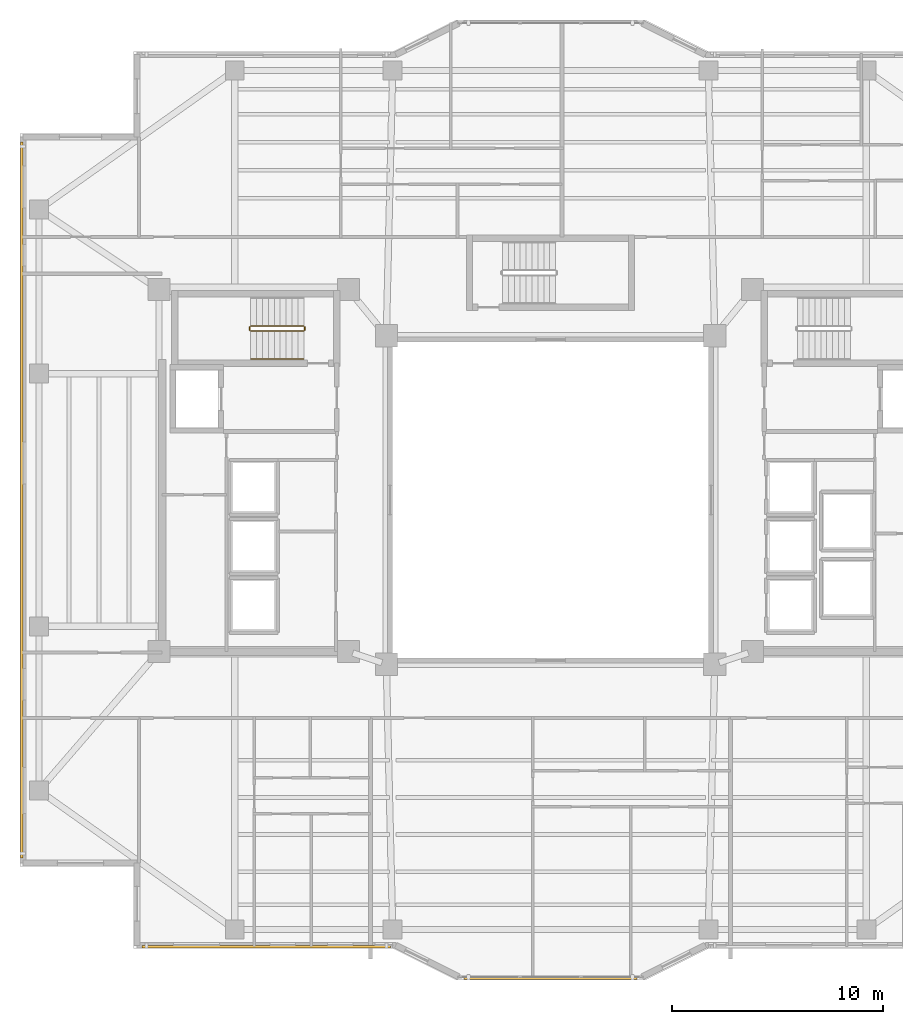
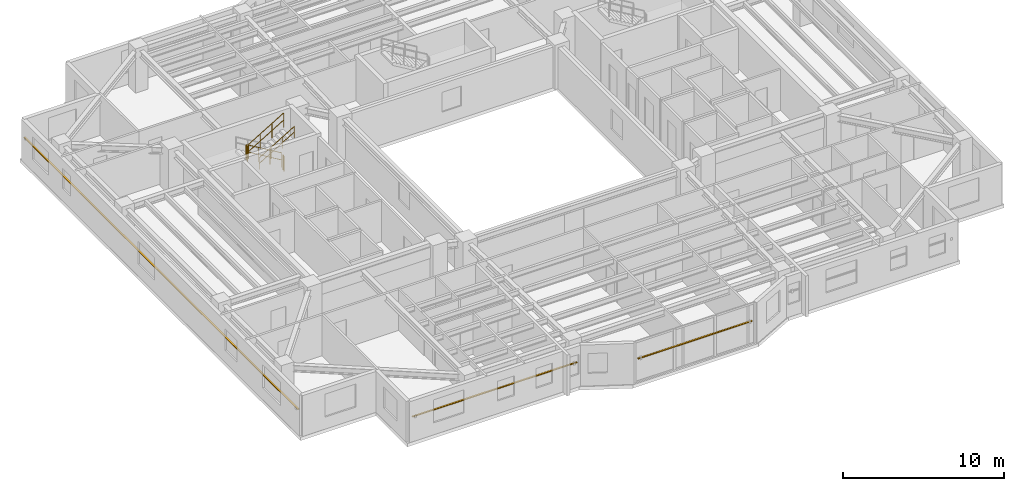
# One storey, part 13 of 15: 5 railings, 3 shading devices.
"""IFC4 building model written with IfcOpenShell, lengths in metres."""

from ifc_helpers import new_model, si_unit, direction, frame, origin, origin_2d, place, context, subcontext, project, spatial, rectangle, circle, extrude, material, material_profile, profile_set, type_object, element, save


model = new_model("IFC4")

# Units and contexts
model_context = context("Model", 3, precision=1e-05, world=origin(), true_north=direction((0.0, 1.0)))
body_context = subcontext(model_context, "Body", "Model", "MODEL_VIEW")
ifc_project = project(units=[si_unit("LENGTHUNIT", "METRE"), si_unit("AREAUNIT", "SQUARE_METRE"), si_unit("VOLUMEUNIT", "CUBIC_METRE"), si_unit("PLANEANGLEUNIT", "RADIAN"), si_unit("MASSUNIT", "GRAM", prefix="KILO")], contexts=[model_context])

# Site, building, storey
site_placement = place(None, origin())
site = spatial("IfcSite", under=ifc_project, at=site_placement, CompositionType="ELEMENT")
building_placement = place(site_placement, origin())
building = spatial("IfcBuilding", under=site, at=building_placement, Name="Tarnavaz Court Tower", CompositionType="ELEMENT")
storey_placement = place(building_placement, frame((0.0, 0.0, 159.39990234375)))
storey = spatial("IfcBuildingStorey", under=building, at=storey_placement, Name="L43", CompositionType="ELEMENT", Elevation=159.39990234375)

# Railings
ifc_material_1 = material(Name="Brushed Stainless Steel", Category="steel")
railing_type_1 = type_object("IfcRailingType", Name="RL-HANDRAIL-900", PredefinedType="HANDRAIL", material=ifc_material_1)
railing_1_placement = place(storey_placement, frame((-14.239990234375, 6.699951171875, 1.842529296875)))
element("IfcRailing", 1, at=railing_1_placement, inside=storey, type_object=railing_type_1, Name="L43 ST-W1 stair handrail 2", PredefinedType="HANDRAIL", context=body_context, shape_type="SweptSolid", body=[
    extrude(circle(Radius=0.02392578125, at=origin_2d()), frame((0.0, 0.0, 0.8759765625), z_axis=(0.858159760407, 0.0, 0.513382728203), x_axis=(0.0, 1.0, 0.0)), (0.0, 0.0, 1.0), 2.9365234375),
    extrude(circle(Radius=0.02392578125, at=origin_2d()), frame((0.0, 0.0, 0.449951171875), z_axis=(0.858159760407, 0.0, 0.513382728203), x_axis=(0.0, 1.0, 0.0)), (0.0, 0.0, 1.0), 2.9365234375),
    extrude(circle(Radius=0.02099609375, at=origin_2d()), origin(), (0.0, 0.0, 1.0), 0.851806640625),
    extrude(circle(Radius=0.02099609375, at=origin_2d()), frame((0.840087890625, 0.0, 0.50244140625)), (0.0, 0.0, 1.0), 0.851806640625),
    extrude(circle(Radius=0.02099609375, at=origin_2d()), frame((1.679931640625, 0.0, 1.005126953125)), (0.0, 0.0, 1.0), 0.851806640625),
    extrude(circle(Radius=0.02099609375, at=origin_2d()), frame((2.52001953125, 0.0, 1.507568359375)), (0.0, 0.0, 1.0), 0.851806640625),
])
ifc_material_2 = material(Name="Galvanized Painted Tubular Steel", Category="steel")
railing_type_2 = type_object("IfcRailingType", Name="RL-STGUARD-1120", PredefinedType="GUARDRAIL", material=ifc_material_2)
railing_2_placement = place(storey_placement, frame((-11.719970703125, 8.27001953125, 0.16748046875)))
element("IfcRailing", 2, at=railing_2_placement, inside=storey, type_object=railing_type_2, Name="L43 ST-W1 stair guard 1", PredefinedType="GUARDRAIL", context=body_context, shape_type="SweptSolid", body=[
    extrude(circle(Radius=0.02392578125, at=origin_2d()), frame((0.0, 0.0, 1.09619140625), z_axis=(-0.858159760407, 0.0, 0.513382728203), x_axis=(0.0, -1.0, 0.0)), (0.0, 0.0, 1.0), 2.9365234375),
    extrude(circle(Radius=0.02392578125, at=origin_2d()), frame((0.0, 0.0, 0.56005859375), z_axis=(-0.858159760407, 0.0, 0.513382728203), x_axis=(0.0, -1.0, 0.0)), (0.0, 0.0, 1.0), 2.9365234375),
    extrude(circle(Radius=0.02099609375, at=origin_2d()), origin(), (0.0, 0.0, 1.0), 1.072021484375),
    extrude(circle(Radius=0.02099609375, at=origin_2d()), frame((-0.840087890625, 0.0, 0.50244140625)), (0.0, 0.0, 1.0), 1.072021484375),
    extrude(circle(Radius=0.02099609375, at=origin_2d()), frame((-1.679931640625, 0.0, 1.005126953125)), (0.0, 0.0, 1.0), 1.072021484375),
    extrude(circle(Radius=0.02099609375, at=origin_2d()), frame((-2.52001953125, 0.0, 1.507568359375)), (0.0, 0.0, 1.0), 1.072021484375),
])
railing_3_placement = place(storey_placement, frame((-14.2900390625, 8.219970703125, 1.675048828125)))
element("IfcRailing", 3, at=railing_3_placement, inside=storey, type_object=railing_type_2, Name="L43 ST-W1 stair guard 2", PredefinedType="GUARDRAIL", context=body_context, shape_type="SweptSolid", body=[
    extrude(circle(Radius=0.02392578125, at=origin_2d()), frame((0.0, 0.0, 1.09619140625), z_axis=(0.0, -1.0, 0.0), x_axis=(1.0, 0.0, 0.0)), (0.0, 0.0, 1.0), 0.14990234375),
    extrude(circle(Radius=0.02392578125, at=origin_2d()), frame((0.0, 0.0, 0.56005859375), z_axis=(0.0, -1.0, 0.0), x_axis=(1.0, 0.0, 0.0)), (0.0, 0.0, 1.0), 0.14990234375),
    extrude(circle(Radius=0.02099609375, at=origin_2d()), origin(), (0.0, 0.0, 1.0), 1.072021484375),
    extrude(circle(Radius=0.02099609375, at=origin_2d()), frame((0.0, -0.14990234375, 0.0)), (0.0, 0.0, 1.0), 1.072021484375),
])
railing_4_placement = place(storey_placement, frame((-14.239990234375, 8.02001953125, 1.842529296875)))
element("IfcRailing", 4, at=railing_4_placement, inside=storey, type_object=railing_type_2, Name="L43 ST-W1 stair guard 3", PredefinedType="GUARDRAIL", context=body_context, shape_type="SweptSolid", body=[
    extrude(circle(Radius=0.02392578125, at=origin_2d()), frame((0.0, 0.0, 1.09619140625), z_axis=(0.858159760407, 0.0, 0.513382728203), x_axis=(0.0, 1.0, 0.0)), (0.0, 0.0, 1.0), 2.9365234375),
    extrude(circle(Radius=0.02392578125, at=origin_2d()), frame((0.0, 0.0, 0.56005859375), z_axis=(0.858159760407, 0.0, 0.513382728203), x_axis=(0.0, 1.0, 0.0)), (0.0, 0.0, 1.0), 2.9365234375),
    extrude(circle(Radius=0.02099609375, at=origin_2d()), origin(), (0.0, 0.0, 1.0), 1.072021484375),
    extrude(circle(Radius=0.02099609375, at=origin_2d()), frame((0.840087890625, 0.0, 0.50244140625)), (0.0, 0.0, 1.0), 1.072021484375),
    extrude(circle(Radius=0.02099609375, at=origin_2d()), frame((1.679931640625, 0.0, 1.005126953125)), (0.0, 0.0, 1.0), 1.072021484375),
    extrude(circle(Radius=0.02099609375, at=origin_2d()), frame((2.52001953125, 0.0, 1.507568359375)), (0.0, 0.0, 1.0), 1.072021484375),
])
railing_5_placement = place(storey_placement, frame((-11.669921875, 8.219970703125, 0.0)))
element("IfcRailing", 5, at=railing_5_placement, inside=storey, type_object=railing_type_2, Name="L43 ST-W1 stair guard 4", PredefinedType="GUARDRAIL", context=body_context, shape_type="SweptSolid", body=[
    extrude(circle(Radius=0.02392578125, at=origin_2d()), frame((0.0, 0.0, 1.09619140625), z_axis=(0.0, -1.0, 0.0), x_axis=(1.0, 0.0, 0.0)), (0.0, 0.0, 1.0), 0.14990234375),
    extrude(circle(Radius=0.02392578125, at=origin_2d()), frame((0.0, 0.0, 0.56005859375), z_axis=(0.0, -1.0, 0.0), x_axis=(1.0, 0.0, 0.0)), (0.0, 0.0, 1.0), 0.14990234375),
    extrude(circle(Radius=0.02099609375, at=origin_2d()), origin(), (0.0, 0.0, 1.0), 1.072021484375),
    extrude(circle(Radius=0.02099609375, at=origin_2d()), frame((0.0, -0.14990234375, 0.0)), (0.0, 0.0, 1.0), 1.072021484375),
])

# Shading devices
ifc_material_3 = material(Name="Kiln-Fired Khorasan Terracotta Ceramic", Category="masonry")
ifc_material_profile = material_profile(ifc_material_3, rectangle(XDim=0.1201171875, YDim=0.06005859375, at=origin_2d()), Name="TC BAGUETTE 120X60")
ifc_profile_set = profile_set([ifc_material_profile], Name="Kiln-Fired Khorasan Terracotta Ceramic")
shading_device_type = type_object("IfcShadingDeviceType", Name="SD-BAG-120", PredefinedType="USERDEFINED", material=ifc_profile_set)
shading_device_1_placement = place(storey_placement, frame((-25.110107421875, -17.0, 1.85009765625), z_axis=(0.0, 1.0, 0.0), x_axis=(-1.0, 0.0, 0.0)))
element("IfcShadingDevice", 6, at=shading_device_1_placement, inside=storey, type_object=shading_device_type, Name="L43 Terracotta Baguette Screen FBG02", ObjectType="BAGUETTE", PredefinedType="USERDEFINED", context=body_context, shape_type="SweptSolid", body=[
    extrude(rectangle(XDim=0.1201171875, YDim=0.06005859375, at=origin_2d()), origin(), (0.0, 0.0, 1.0), 34.0),
])
shading_device_2_placement = place(storey_placement, frame((4.10009765625, -22.7099609375, 1.800048828125), z_axis=(-1.0, 0.0, 0.0), x_axis=(0.0, -1.0, 0.0)))
element("IfcShadingDevice", 7, at=shading_device_2_placement, inside=storey, type_object=shading_device_type, Name="L43 Terracotta Baguette Screen PBG17", ObjectType="BAGUETTE", PredefinedType="USERDEFINED", context=body_context, shape_type="SweptSolid", body=[
    extrude(rectangle(XDim=0.1201171875, YDim=0.06005859375, at=origin_2d()), origin(), (0.0, 0.0, 1.0), 8.2001953125),
])
shading_device_3_placement = place(storey_placement, frame((-7.60009765625, -21.2099609375, 1.85009765625), z_axis=(-1.0, 0.0, 0.0), x_axis=(0.0, -1.0, 0.0)))
element("IfcShadingDevice", 8, at=shading_device_3_placement, inside=storey, type_object=shading_device_type, Name="L43 Terracotta Baguette Screen FBG19", ObjectType="BAGUETTE", PredefinedType="USERDEFINED", context=body_context, shape_type="SweptSolid", body=[
    extrude(rectangle(XDim=0.1201171875, YDim=0.06005859375, at=origin_2d()), origin(), (0.0, 0.0, 1.0), 11.7998046875),
])

save(model, "model.ifc")
